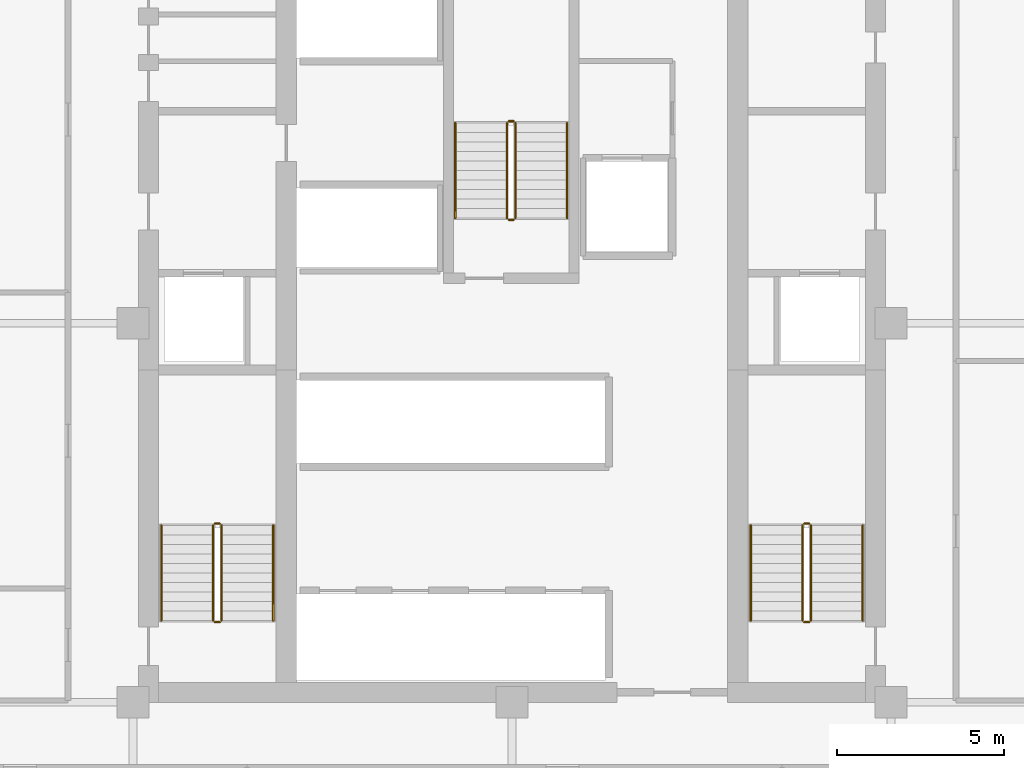
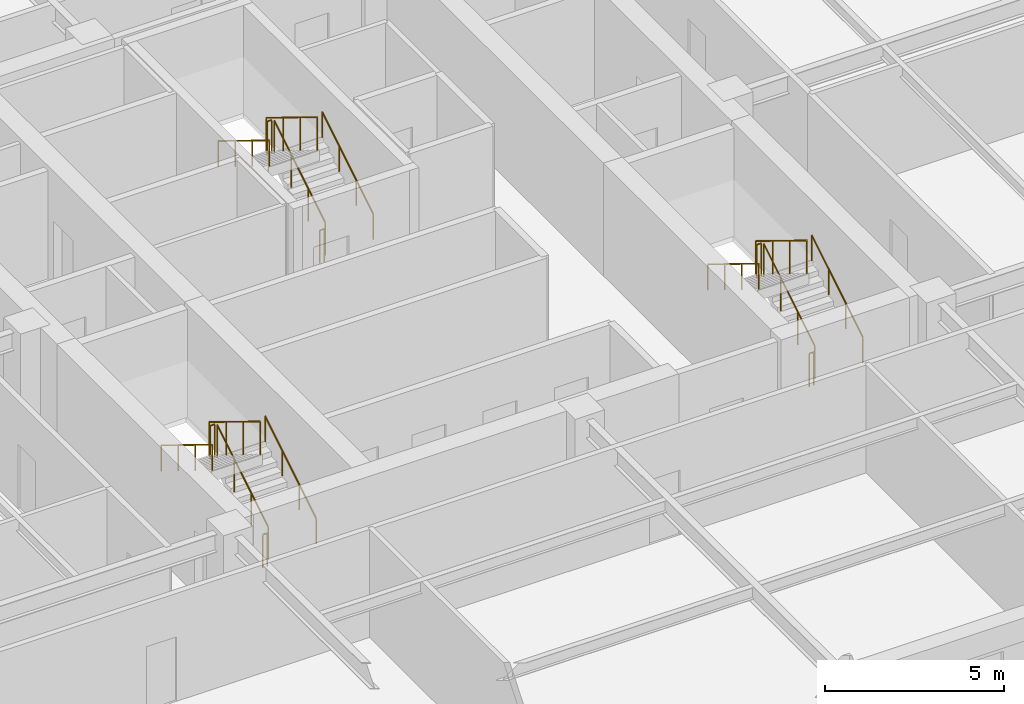
# One storey, part 10 of 11: 18 railings.
"""IFC4 building model written with IfcOpenShell, lengths in metres."""

from ifc_helpers import new_model, si_unit, direction, frame, origin, origin_2d, place, context, subcontext, project, spatial, circle, extrude, material, type_object, element, save


model = new_model("IFC4")

# Units and contexts
model_context = context("Model", 3, precision=1e-05, world=origin(), true_north=direction((0.0, 1.0)))
body_context = subcontext(model_context, "Body", "Model", "MODEL_VIEW")
ifc_project = project(units=[si_unit("LENGTHUNIT", "METRE"), si_unit("AREAUNIT", "SQUARE_METRE"), si_unit("VOLUMEUNIT", "CUBIC_METRE"), si_unit("PLANEANGLEUNIT", "RADIAN"), si_unit("MASSUNIT", "GRAM", prefix="KILO")], contexts=[model_context])

# Site, building, storey
site_placement = place(None, origin())
site = spatial("IfcSite", under=ifc_project, at=site_placement, CompositionType="ELEMENT")
building_placement = place(site_placement, origin())
building = spatial("IfcBuilding", under=site, at=building_placement, Name="Nhamokura Convention Tower", CompositionType="ELEMENT")
storey_placement = place(building_placement, frame((0.0, 0.0, 141.39990234375)))
storey = spatial("IfcBuildingStorey", under=building, at=storey_placement, Name="L34", CompositionType="ELEMENT", Elevation=141.39990234375)

# Railings
ifc_material_1 = material(Name="Anodised bronze stainless steel", Category="steel")
railing_type_1 = type_object("IfcRailingType", Name="StairWallHandrail_900", PredefinedType="HANDRAIL", material=ifc_material_1)
railing_1_placement = place(storey_placement, frame((24.85009765625, 23.10009765625, 0.175048828125)))
element("IfcRailing", 1, at=railing_1_placement, inside=storey, type_object=railing_type_1, Name="L34 ST-01 stair handrail 1", PredefinedType="HANDRAIL", context=body_context, shape_type="SweptSolid", body=[
    extrude(circle(Radius=0.02392578125, at=origin_2d()), frame((0.0, 0.0, 0.8759765625), z_axis=(0.0, 0.852159232446, 0.523282564737), x_axis=(-1.0, 0.0, 0.0)), (0.0, 0.0, 1.0), 3.34423828125),
    extrude(circle(Radius=0.02099609375, at=origin_2d()), origin(), (0.0, 0.0, 1.0), 0.851806640625),
    extrude(circle(Radius=0.02099609375, at=origin_2d()), frame((0.0, 0.949951171875, 0.583251953125)), (0.0, 0.0, 1.0), 0.851806640625),
    extrude(circle(Radius=0.02099609375, at=origin_2d()), frame((0.0, 1.89990234375, 1.166748046875)), (0.0, 0.0, 1.0), 0.851806640625),
    extrude(circle(Radius=0.02099609375, at=origin_2d()), frame((0.0, 2.849853515625, 1.75)), (0.0, 0.0, 1.0), 0.851806640625),
])
railing_2_placement = place(storey_placement, frame((21.5, 25.949951171875, 2.10009765625)))
element("IfcRailing", 2, at=railing_2_placement, inside=storey, type_object=railing_type_1, Name="L34 ST-01 stair handrail 2", PredefinedType="HANDRAIL", context=body_context, shape_type="SweptSolid", body=[
    extrude(circle(Radius=0.02392578125, at=origin_2d()), frame((0.0, 0.0, 0.8759765625), z_axis=(0.0, -0.852159232446, 0.523282564737), x_axis=(1.0, 0.0, 0.0)), (0.0, 0.0, 1.0), 3.34423828125),
    extrude(circle(Radius=0.02099609375, at=origin_2d()), origin(), (0.0, 0.0, 1.0), 0.851806640625),
    extrude(circle(Radius=0.02099609375, at=origin_2d()), frame((0.0, -0.949951171875, 0.583251953125)), (0.0, 0.0, 1.0), 0.851806640625),
    extrude(circle(Radius=0.02099609375, at=origin_2d()), frame((0.0, -1.89990234375, 1.166748046875)), (0.0, 0.0, 1.0), 0.851806640625),
    extrude(circle(Radius=0.02099609375, at=origin_2d()), frame((0.0, -2.849853515625, 1.75)), (0.0, 0.0, 1.0), 0.851806640625),
])
railing_3_placement = place(storey_placement, frame((42.5, 23.10009765625, 0.175048828125)))
element("IfcRailing", 3, at=railing_3_placement, inside=storey, type_object=railing_type_1, Name="L34 ST-02 stair handrail 1", PredefinedType="HANDRAIL", context=body_context, shape_type="SweptSolid", body=[
    extrude(circle(Radius=0.02392578125, at=origin_2d()), frame((0.0, 0.0, 0.8759765625), z_axis=(0.0, 0.852159232446, 0.523282564737), x_axis=(-1.0, 0.0, 0.0)), (0.0, 0.0, 1.0), 3.34423828125),
    extrude(circle(Radius=0.02099609375, at=origin_2d()), origin(), (0.0, 0.0, 1.0), 0.851806640625),
    extrude(circle(Radius=0.02099609375, at=origin_2d()), frame((0.0, 0.949951171875, 0.583251953125)), (0.0, 0.0, 1.0), 0.851806640625),
    extrude(circle(Radius=0.02099609375, at=origin_2d()), frame((0.0, 1.89990234375, 1.166748046875)), (0.0, 0.0, 1.0), 0.851806640625),
    extrude(circle(Radius=0.02099609375, at=origin_2d()), frame((0.0, 2.849853515625, 1.75)), (0.0, 0.0, 1.0), 0.851806640625),
])
railing_4_placement = place(storey_placement, frame((39.14990234375, 25.949951171875, 2.10009765625)))
element("IfcRailing", 4, at=railing_4_placement, inside=storey, type_object=railing_type_1, Name="L34 ST-02 stair handrail 2", PredefinedType="HANDRAIL", context=body_context, shape_type="SweptSolid", body=[
    extrude(circle(Radius=0.02392578125, at=origin_2d()), frame((0.0, 0.0, 0.8759765625), z_axis=(0.0, -0.852159232446, 0.523282564737), x_axis=(1.0, 0.0, 0.0)), (0.0, 0.0, 1.0), 3.34423828125),
    extrude(circle(Radius=0.02099609375, at=origin_2d()), origin(), (0.0, 0.0, 1.0), 0.851806640625),
    extrude(circle(Radius=0.02099609375, at=origin_2d()), frame((0.0, -0.949951171875, 0.583251953125)), (0.0, 0.0, 1.0), 0.851806640625),
    extrude(circle(Radius=0.02099609375, at=origin_2d()), frame((0.0, -1.89990234375, 1.166748046875)), (0.0, 0.0, 1.0), 0.851806640625),
    extrude(circle(Radius=0.02099609375, at=origin_2d()), frame((0.0, -2.849853515625, 1.75)), (0.0, 0.0, 1.0), 0.851806640625),
])
railing_5_placement = place(storey_placement, frame((33.64990234375, 35.14990234375, 0.175048828125)))
element("IfcRailing", 5, at=railing_5_placement, inside=storey, type_object=railing_type_1, Name="L34 ST-03 stair handrail 1", PredefinedType="HANDRAIL", context=body_context, shape_type="SweptSolid", body=[
    extrude(circle(Radius=0.02392578125, at=origin_2d()), frame((0.0, 0.0, 0.8759765625), z_axis=(0.0, 0.852179220489, 0.52325001306), x_axis=(-1.0, 0.0, 0.0)), (0.0, 0.0, 1.0), 3.344482421875),
    extrude(circle(Radius=0.02099609375, at=origin_2d()), origin(), (0.0, 0.0, 1.0), 0.851806640625),
    extrude(circle(Radius=0.02099609375, at=origin_2d()), frame((0.0, 0.949951171875, 0.583251953125)), (0.0, 0.0, 1.0), 0.851806640625),
    extrude(circle(Radius=0.02099609375, at=origin_2d()), frame((0.0, 1.900146484375, 1.166748046875)), (0.0, 0.0, 1.0), 0.851806640625),
    extrude(circle(Radius=0.02099609375, at=origin_2d()), frame((0.0, 2.85009765625, 1.75)), (0.0, 0.0, 1.0), 0.851806640625),
])
railing_6_placement = place(storey_placement, frame((30.300048828125, 38.0, 2.10009765625)))
element("IfcRailing", 6, at=railing_6_placement, inside=storey, type_object=railing_type_1, Name="L34 ST-03 stair handrail 2", PredefinedType="HANDRAIL", context=body_context, shape_type="SweptSolid", body=[
    extrude(circle(Radius=0.02392578125, at=origin_2d()), frame((0.0, 0.0, 0.8759765625), z_axis=(0.0, -0.852179220489, 0.52325001306), x_axis=(1.0, 0.0, 0.0)), (0.0, 0.0, 1.0), 3.344482421875),
    extrude(circle(Radius=0.02099609375, at=origin_2d()), origin(), (0.0, 0.0, 1.0), 0.851806640625),
    extrude(circle(Radius=0.02099609375, at=origin_2d()), frame((0.0, -0.949951171875, 0.583251953125)), (0.0, 0.0, 1.0), 0.851806640625),
    extrude(circle(Radius=0.02099609375, at=origin_2d()), frame((0.0, -1.900146484375, 1.166748046875)), (0.0, 0.0, 1.0), 0.851806640625),
    extrude(circle(Radius=0.02099609375, at=origin_2d()), frame((0.0, -2.85009765625, 1.75)), (0.0, 0.0, 1.0), 0.851806640625),
])
ifc_material_2 = material(Name="Painted tubular steel", Category="steel")
railing_type_2 = type_object("IfcRailingType", Name="StairWellGuardrail_1150", PredefinedType="GUARDRAIL", material=ifc_material_2)
railing_7_placement = place(storey_placement, frame((23.300048828125, 23.10009765625, 0.175048828125)))
element("IfcRailing", 7, at=railing_7_placement, inside=storey, type_object=railing_type_2, Name="L34 ST-01 stair guard 1", PredefinedType="GUARDRAIL", context=body_context, shape_type="SweptSolid", body=[
    extrude(circle(Radius=0.02392578125, at=origin_2d()), frame((0.0, 0.0, 1.1259765625), z_axis=(0.0, 0.852159232446, 0.523282564737), x_axis=(-1.0, 0.0, 0.0)), (0.0, 0.0, 1.0), 3.34423828125),
    extrude(circle(Radius=0.02099609375, at=origin_2d()), origin(), (0.0, 0.0, 1.0), 1.101806640625),
    extrude(circle(Radius=0.02099609375, at=origin_2d()), frame((0.0, 0.949951171875, 0.583251953125)), (0.0, 0.0, 1.0), 1.101806640625),
    extrude(circle(Radius=0.02099609375, at=origin_2d()), frame((0.0, 1.89990234375, 1.166748046875)), (0.0, 0.0, 1.0), 1.101806640625),
    extrude(circle(Radius=0.02099609375, at=origin_2d()), frame((0.0, 2.849853515625, 1.75)), (0.0, 0.0, 1.0), 1.101806640625),
])
railing_8_placement = place(storey_placement, frame((23.25, 26.0, 1.925048828125)))
element("IfcRailing", 8, at=railing_8_placement, inside=storey, type_object=railing_type_2, Name="L34 ST-01 stair guard 2", PredefinedType="GUARDRAIL", context=body_context, shape_type="SweptSolid", body=[
    extrude(circle(Radius=0.02392578125, at=origin_2d()), frame((0.0, 0.0, 1.1259765625), z_axis=(-1.0, 0.0, 0.0), x_axis=(0.0, -1.0, 0.0)), (0.0, 0.0, 1.0), 0.14990234375),
    extrude(circle(Radius=0.02099609375, at=origin_2d()), origin(), (0.0, 0.0, 1.0), 1.101806640625),
    extrude(circle(Radius=0.02099609375, at=origin_2d()), frame((-0.14990234375, 0.0, 0.0)), (0.0, 0.0, 1.0), 1.101806640625),
])
railing_9_placement = place(storey_placement, frame((23.050048828125, 25.949951171875, 2.10009765625)))
element("IfcRailing", 9, at=railing_9_placement, inside=storey, type_object=railing_type_2, Name="L34 ST-01 stair guard 3", PredefinedType="GUARDRAIL", context=body_context, shape_type="SweptSolid", body=[
    extrude(circle(Radius=0.02392578125, at=origin_2d()), frame((0.0, 0.0, 1.1259765625), z_axis=(0.0, -0.852159232446, 0.523282564737), x_axis=(1.0, 0.0, 0.0)), (0.0, 0.0, 1.0), 3.34423828125),
    extrude(circle(Radius=0.02099609375, at=origin_2d()), origin(), (0.0, 0.0, 1.0), 1.101806640625),
    extrude(circle(Radius=0.02099609375, at=origin_2d()), frame((0.0, -0.949951171875, 0.583251953125)), (0.0, 0.0, 1.0), 1.101806640625),
    extrude(circle(Radius=0.02099609375, at=origin_2d()), frame((0.0, -1.89990234375, 1.166748046875)), (0.0, 0.0, 1.0), 1.101806640625),
    extrude(circle(Radius=0.02099609375, at=origin_2d()), frame((0.0, -2.849853515625, 1.75)), (0.0, 0.0, 1.0), 1.101806640625),
])
railing_10_placement = place(storey_placement, frame((23.25, 23.050048828125, 0.0)))
element("IfcRailing", 10, at=railing_10_placement, inside=storey, type_object=railing_type_2, Name="L34 ST-01 stair guard 4", PredefinedType="GUARDRAIL", context=body_context, shape_type="SweptSolid", body=[
    extrude(circle(Radius=0.02392578125, at=origin_2d()), frame((0.0, 0.0, 1.1259765625), z_axis=(-1.0, 0.0, 0.0), x_axis=(0.0, -1.0, 0.0)), (0.0, 0.0, 1.0), 0.14990234375),
    extrude(circle(Radius=0.02099609375, at=origin_2d()), origin(), (0.0, 0.0, 1.0), 1.101806640625),
    extrude(circle(Radius=0.02099609375, at=origin_2d()), frame((-0.14990234375, 0.0, 0.0)), (0.0, 0.0, 1.0), 1.101806640625),
])
railing_11_placement = place(storey_placement, frame((40.949951171875, 23.10009765625, 0.175048828125)))
element("IfcRailing", 11, at=railing_11_placement, inside=storey, type_object=railing_type_2, Name="L34 ST-02 stair guard 1", PredefinedType="GUARDRAIL", context=body_context, shape_type="SweptSolid", body=[
    extrude(circle(Radius=0.02392578125, at=origin_2d()), frame((0.0, 0.0, 1.1259765625), z_axis=(0.0, 0.852159232446, 0.523282564737), x_axis=(-1.0, 0.0, 0.0)), (0.0, 0.0, 1.0), 3.34423828125),
    extrude(circle(Radius=0.02099609375, at=origin_2d()), origin(), (0.0, 0.0, 1.0), 1.101806640625),
    extrude(circle(Radius=0.02099609375, at=origin_2d()), frame((0.0, 0.949951171875, 0.583251953125)), (0.0, 0.0, 1.0), 1.101806640625),
    extrude(circle(Radius=0.02099609375, at=origin_2d()), frame((0.0, 1.89990234375, 1.166748046875)), (0.0, 0.0, 1.0), 1.101806640625),
    extrude(circle(Radius=0.02099609375, at=origin_2d()), frame((0.0, 2.849853515625, 1.75)), (0.0, 0.0, 1.0), 1.101806640625),
])
railing_12_placement = place(storey_placement, frame((40.89990234375, 26.0, 1.925048828125)))
element("IfcRailing", 12, at=railing_12_placement, inside=storey, type_object=railing_type_2, Name="L34 ST-02 stair guard 2", PredefinedType="GUARDRAIL", context=body_context, shape_type="SweptSolid", body=[
    extrude(circle(Radius=0.02392578125, at=origin_2d()), frame((0.0, 0.0, 1.1259765625), z_axis=(-1.0, 0.0, 0.0), x_axis=(0.0, -1.0, 0.0)), (0.0, 0.0, 1.0), 0.14990234375),
    extrude(circle(Radius=0.02099609375, at=origin_2d()), origin(), (0.0, 0.0, 1.0), 1.101806640625),
    extrude(circle(Radius=0.02099609375, at=origin_2d()), frame((-0.14990234375, 0.0, 0.0)), (0.0, 0.0, 1.0), 1.101806640625),
])
railing_13_placement = place(storey_placement, frame((40.699951171875, 25.949951171875, 2.10009765625)))
element("IfcRailing", 13, at=railing_13_placement, inside=storey, type_object=railing_type_2, Name="L34 ST-02 stair guard 3", PredefinedType="GUARDRAIL", context=body_context, shape_type="SweptSolid", body=[
    extrude(circle(Radius=0.02392578125, at=origin_2d()), frame((0.0, 0.0, 1.1259765625), z_axis=(0.0, -0.852159232446, 0.523282564737), x_axis=(1.0, 0.0, 0.0)), (0.0, 0.0, 1.0), 3.34423828125),
    extrude(circle(Radius=0.02099609375, at=origin_2d()), origin(), (0.0, 0.0, 1.0), 1.101806640625),
    extrude(circle(Radius=0.02099609375, at=origin_2d()), frame((0.0, -0.949951171875, 0.583251953125)), (0.0, 0.0, 1.0), 1.101806640625),
    extrude(circle(Radius=0.02099609375, at=origin_2d()), frame((0.0, -1.89990234375, 1.166748046875)), (0.0, 0.0, 1.0), 1.101806640625),
    extrude(circle(Radius=0.02099609375, at=origin_2d()), frame((0.0, -2.849853515625, 1.75)), (0.0, 0.0, 1.0), 1.101806640625),
])
railing_14_placement = place(storey_placement, frame((40.89990234375, 23.050048828125, 0.0)))
element("IfcRailing", 14, at=railing_14_placement, inside=storey, type_object=railing_type_2, Name="L34 ST-02 stair guard 4", PredefinedType="GUARDRAIL", context=body_context, shape_type="SweptSolid", body=[
    extrude(circle(Radius=0.02392578125, at=origin_2d()), frame((0.0, 0.0, 1.1259765625), z_axis=(-1.0, 0.0, 0.0), x_axis=(0.0, -1.0, 0.0)), (0.0, 0.0, 1.0), 0.14990234375),
    extrude(circle(Radius=0.02099609375, at=origin_2d()), origin(), (0.0, 0.0, 1.0), 1.101806640625),
    extrude(circle(Radius=0.02099609375, at=origin_2d()), frame((-0.14990234375, 0.0, 0.0)), (0.0, 0.0, 1.0), 1.101806640625),
])
railing_15_placement = place(storey_placement, frame((32.10009765625, 35.14990234375, 0.175048828125)))
element("IfcRailing", 15, at=railing_15_placement, inside=storey, type_object=railing_type_2, Name="L34 ST-03 stair guard 1", PredefinedType="GUARDRAIL", context=body_context, shape_type="SweptSolid", body=[
    extrude(circle(Radius=0.02392578125, at=origin_2d()), frame((0.0, 0.0, 1.1259765625), z_axis=(0.0, 0.852179220489, 0.52325001306), x_axis=(-1.0, 0.0, 0.0)), (0.0, 0.0, 1.0), 3.344482421875),
    extrude(circle(Radius=0.02099609375, at=origin_2d()), origin(), (0.0, 0.0, 1.0), 1.101806640625),
    extrude(circle(Radius=0.02099609375, at=origin_2d()), frame((0.0, 0.949951171875, 0.583251953125)), (0.0, 0.0, 1.0), 1.101806640625),
    extrude(circle(Radius=0.02099609375, at=origin_2d()), frame((0.0, 1.900146484375, 1.166748046875)), (0.0, 0.0, 1.0), 1.101806640625),
    extrude(circle(Radius=0.02099609375, at=origin_2d()), frame((0.0, 2.85009765625, 1.75)), (0.0, 0.0, 1.0), 1.101806640625),
])
railing_16_placement = place(storey_placement, frame((32.050048828125, 38.050048828125, 1.925048828125)))
element("IfcRailing", 16, at=railing_16_placement, inside=storey, type_object=railing_type_2, Name="L34 ST-03 stair guard 2", PredefinedType="GUARDRAIL", context=body_context, shape_type="SweptSolid", body=[
    extrude(circle(Radius=0.02392578125, at=origin_2d()), frame((0.0, 0.0, 1.1259765625), z_axis=(-1.0, 0.0, 0.0), x_axis=(0.0, -1.0, 0.0)), (0.0, 0.0, 1.0), 0.150146484375),
    extrude(circle(Radius=0.02099609375, at=origin_2d()), origin(), (0.0, 0.0, 1.0), 1.101806640625),
    extrude(circle(Radius=0.02099609375, at=origin_2d()), frame((-0.150146484375, 0.0, 0.0)), (0.0, 0.0, 1.0), 1.101806640625),
])
railing_17_placement = place(storey_placement, frame((31.85009765625, 38.0, 2.10009765625)))
element("IfcRailing", 17, at=railing_17_placement, inside=storey, type_object=railing_type_2, Name="L34 ST-03 stair guard 3", PredefinedType="GUARDRAIL", context=body_context, shape_type="SweptSolid", body=[
    extrude(circle(Radius=0.02392578125, at=origin_2d()), frame((0.0, 0.0, 1.1259765625), z_axis=(0.0, -0.852179220489, 0.52325001306), x_axis=(1.0, 0.0, 0.0)), (0.0, 0.0, 1.0), 3.344482421875),
    extrude(circle(Radius=0.02099609375, at=origin_2d()), origin(), (0.0, 0.0, 1.0), 1.101806640625),
    extrude(circle(Radius=0.02099609375, at=origin_2d()), frame((0.0, -0.949951171875, 0.583251953125)), (0.0, 0.0, 1.0), 1.101806640625),
    extrude(circle(Radius=0.02099609375, at=origin_2d()), frame((0.0, -1.900146484375, 1.166748046875)), (0.0, 0.0, 1.0), 1.101806640625),
    extrude(circle(Radius=0.02099609375, at=origin_2d()), frame((0.0, -2.85009765625, 1.75)), (0.0, 0.0, 1.0), 1.101806640625),
])
railing_18_placement = place(storey_placement, frame((32.050048828125, 35.10009765625, 0.0)))
element("IfcRailing", 18, at=railing_18_placement, inside=storey, type_object=railing_type_2, Name="L34 ST-03 stair guard 4", PredefinedType="GUARDRAIL", context=body_context, shape_type="SweptSolid", body=[
    extrude(circle(Radius=0.02392578125, at=origin_2d()), frame((0.0, 0.0, 1.1259765625), z_axis=(-1.0, 0.0, 0.0), x_axis=(0.0, -1.0, 0.0)), (0.0, 0.0, 1.0), 0.150146484375),
    extrude(circle(Radius=0.02099609375, at=origin_2d()), origin(), (0.0, 0.0, 1.0), 1.101806640625),
    extrude(circle(Radius=0.02099609375, at=origin_2d()), frame((-0.150146484375, 0.0, 0.0)), (0.0, 0.0, 1.0), 1.101806640625),
])

save(model, "model.ifc")
